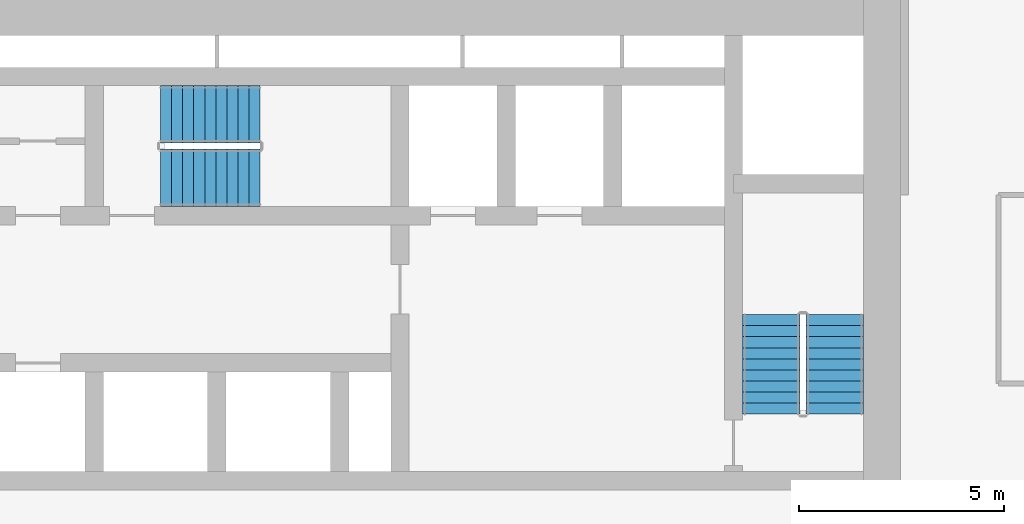
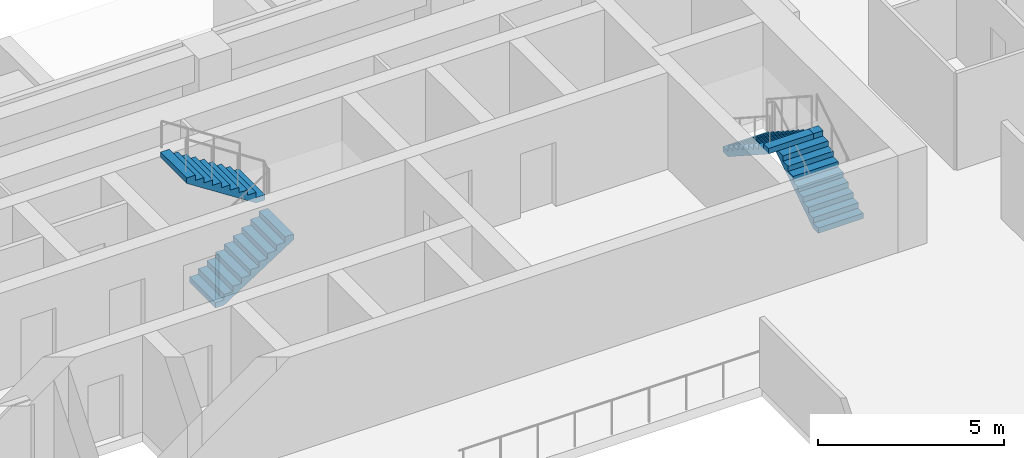
# One storey, part 13 of 17: 4 stair flights, 2 elements without a shape of their own.
"""IFC4 building model written with IfcOpenShell, lengths in metres."""

from ifc_helpers import new_model, si_unit, direction, frame, origin, place, context, subcontext, project, spatial, polyline, outline, extrude, material, layer, layer_set, type_object, element, aggregate, save


model = new_model("IFC4")

# Units and contexts
model_context = context("Model", 3, precision=1e-05, world=origin(), true_north=direction((0.0, 1.0)))
body_context = subcontext(model_context, "Body", "Model", "MODEL_VIEW")
ifc_project = project(units=[si_unit("LENGTHUNIT", "METRE"), si_unit("AREAUNIT", "SQUARE_METRE"), si_unit("VOLUMEUNIT", "CUBIC_METRE"), si_unit("PLANEANGLEUNIT", "RADIAN"), si_unit("MASSUNIT", "GRAM", prefix="KILO")], contexts=[model_context])

# Site, building, storey
site_placement = place(None, origin())
site = spatial("IfcSite", under=ifc_project, at=site_placement, CompositionType="ELEMENT")
building_placement = place(site_placement, origin())
building = spatial("IfcBuilding", under=site, at=building_placement, Name="Saffron Iwan Residences", CompositionType="ELEMENT")
storey_placement = place(building_placement, frame((0.0, 0.0, 86.5)))
storey = spatial("IfcBuildingStorey", under=building, at=storey_placement, Name="L22", CompositionType="ELEMENT", Elevation=86.5)

# Stair, stair flights
ifc_material = material(Name="Concrete C50/60", Category="concrete")
stair_type = type_object("IfcStairType", Name="Stair ST-CORE", PredefinedType="HALF_TURN_STAIR", material=ifc_material)
stair_1_placement = place(storey_placement, origin())
stair_1 = element("IfcStair", 1, at=stair_1_placement, inside=storey, type_object=stair_type, Name="L22 Exit Stair ST-C", PredefinedType="HALF_TURN_STAIR")
ifc_layer = layer(ifc_material, 0.14990234375)
ifc_layer_set = layer_set([ifc_layer], Name="Concrete C50/60")
stair_flight_type = type_object("IfcStairFlightType", Name="Stair flight SFL-RC", PredefinedType="STRAIGHT", material=ifc_layer_set)
stair_flight_1_placement = place(storey_placement, frame((53.925048828125, 73.625, 0.0), z_axis=(0.0, 0.0, 1.0), x_axis=(1.0, 0.0, 0.0)))
stair_flight_1 = element("IfcStairFlight", 2, at=stair_flight_1_placement, type_object=stair_flight_type, Name="ST-C flight 1", NumberOfRisers=10, NumberOfTreads=9, PredefinedType="STRAIGHT", RiserHeight=0.175, TreadLength=0.27, context=body_context, shape_type="SweptSolid", body=[
    extrude(outline(polyline([(0.0, 0.0), (0.0, 0.175048828125), (0.27001953125, 0.175048828125), (0.27001953125, 0.35009765625), (0.5400390625, 0.35009765625), (0.5400390625, 0.52490234375), (0.81005859375, 0.52490234375), (0.81005859375, 0.699951171875), (1.080078125, 0.699951171875), (1.080078125, 0.875), (1.35009765625, 0.875), (1.35009765625, 1.050048828125), (1.6201171875, 1.050048828125), (1.6201171875, 1.22509765625), (1.889892578125, 1.22509765625), (1.889892578125, 1.39990234375), (2.159912109375, 1.39990234375), (2.159912109375, 1.574951171875), (2.429931640625, 1.574951171875), (2.429931640625, 1.75), (2.429931640625, 1.396484375), (0.275634765625, 0.0), (0.0, 0.0)])), frame((0.0, 0.699951171875, 0.0), z_axis=(0.0, -1.0, 0.0), x_axis=(1.0, 0.0, 0.0)), (0.0, 0.0, 1.0), 1.39990234375),
])
stair_flight_2_placement = place(storey_placement, frame((56.35498046875, 75.175048828125, 1.75), z_axis=(0.0, 0.0, 1.0), x_axis=(-1.0, 0.0, 0.0)))
stair_flight_2 = element("IfcStairFlight", 3, at=stair_flight_2_placement, type_object=stair_flight_type, Name="ST-C flight 2", NumberOfRisers=10, NumberOfTreads=9, PredefinedType="STRAIGHT", RiserHeight=0.175, TreadLength=0.27, context=body_context, shape_type="SweptSolid", body=[
    extrude(outline(polyline([(0.0, 0.0), (0.0, 0.175048828125), (0.27001953125, 0.175048828125), (0.27001953125, 0.35009765625), (0.5400390625, 0.35009765625), (0.5400390625, 0.52490234375), (0.81005859375, 0.52490234375), (0.81005859375, 0.699951171875), (1.080078125, 0.699951171875), (1.080078125, 0.875), (1.35009765625, 0.875), (1.35009765625, 1.050048828125), (1.6201171875, 1.050048828125), (1.6201171875, 1.22509765625), (1.889892578125, 1.22509765625), (1.889892578125, 1.39990234375), (2.159912109375, 1.39990234375), (2.159912109375, 1.574951171875), (2.429931640625, 1.574951171875), (2.429931640625, 1.75), (2.429931640625, 1.396484375), (0.275634765625, 0.0), (0.0, 0.0)])), frame((0.0, 0.699951171875, 0.0), z_axis=(0.0, -1.0, 0.0), x_axis=(1.0, 0.0, 0.0)), (0.0, 0.0, 1.0), 1.39990234375),
])
aggregate(stair_1, [stair_flight_1, stair_flight_2])

stair_2_placement = place(storey_placement, origin())
stair_2 = element("IfcStair", 4, at=stair_2_placement, inside=storey, type_object=stair_type, Name="L22 Exit Stair ST-E", PredefinedType="HALF_TURN_STAIR")
stair_flight_3_placement = place(storey_placement, frame((70.39990234375, 67.85009765625, 0.0), z_axis=(0.0, 0.0, 1.0), x_axis=(0.0, 1.0, 0.0)))
stair_flight_3 = element("IfcStairFlight", 5, at=stair_flight_3_placement, type_object=stair_flight_type, Name="ST-E flight 1", NumberOfRisers=10, NumberOfTreads=9, PredefinedType="STRAIGHT", RiserHeight=0.175, TreadLength=0.27, context=body_context, shape_type="SweptSolid", body=[
    extrude(outline(polyline([(0.0, 0.0), (0.0, 0.175048828125), (0.27001953125, 0.175048828125), (0.27001953125, 0.35009765625), (0.5400390625, 0.35009765625), (0.5400390625, 0.52490234375), (0.81005859375, 0.52490234375), (0.81005859375, 0.699951171875), (1.080078125, 0.699951171875), (1.080078125, 0.875), (1.35009765625, 0.875), (1.35009765625, 1.050048828125), (1.6201171875, 1.050048828125), (1.6201171875, 1.22509765625), (1.889892578125, 1.22509765625), (1.889892578125, 1.39990234375), (2.159912109375, 1.39990234375), (2.159912109375, 1.574951171875), (2.429931640625, 1.574951171875), (2.429931640625, 1.75), (2.429931640625, 1.396484375), (0.275634765625, 0.0), (0.0, 0.0)])), frame((0.0, 0.699951171875, 0.0), z_axis=(0.0, -1.0, 0.0), x_axis=(1.0, 0.0, 0.0)), (0.0, 0.0, 1.0), 1.39990234375),
])
stair_flight_4_placement = place(storey_placement, frame((68.85009765625, 70.280029296875, 1.75), z_axis=(0.0, 0.0, 1.0), x_axis=(0.0, -1.0, 0.0)))
stair_flight_4 = element("IfcStairFlight", 6, at=stair_flight_4_placement, type_object=stair_flight_type, Name="ST-E flight 2", NumberOfRisers=10, NumberOfTreads=9, PredefinedType="STRAIGHT", RiserHeight=0.175, TreadLength=0.27, context=body_context, shape_type="SweptSolid", body=[
    extrude(outline(polyline([(0.0, 0.0), (0.0, 0.175048828125), (0.27001953125, 0.175048828125), (0.27001953125, 0.35009765625), (0.5400390625, 0.35009765625), (0.5400390625, 0.52490234375), (0.81005859375, 0.52490234375), (0.81005859375, 0.699951171875), (1.080078125, 0.699951171875), (1.080078125, 0.875), (1.35009765625, 0.875), (1.35009765625, 1.050048828125), (1.6201171875, 1.050048828125), (1.6201171875, 1.22509765625), (1.889892578125, 1.22509765625), (1.889892578125, 1.39990234375), (2.159912109375, 1.39990234375), (2.159912109375, 1.574951171875), (2.429931640625, 1.574951171875), (2.429931640625, 1.75), (2.429931640625, 1.396484375), (0.275634765625, 0.0), (0.0, 0.0)])), frame((0.0, 0.699951171875, 0.0), z_axis=(0.0, -1.0, 0.0), x_axis=(1.0, 0.0, 0.0)), (0.0, 0.0, 1.0), 1.39990234375),
])
aggregate(stair_2, [stair_flight_3, stair_flight_4])

save(model, "model.ifc")
